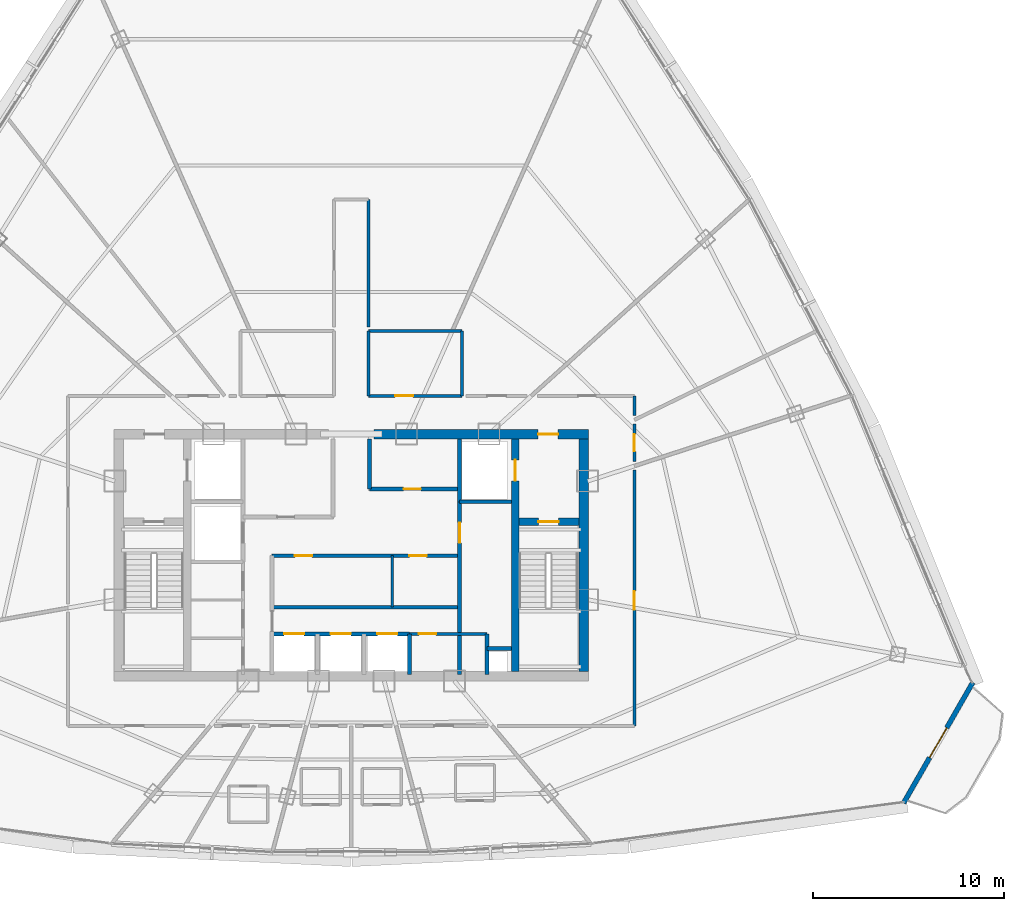
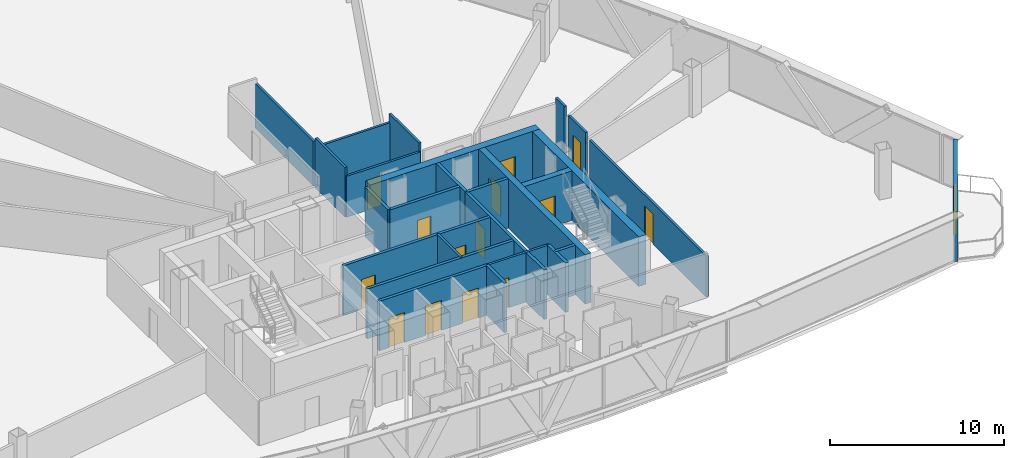
# One storey, part 33 of 37: 26 walls, 15 doors, 15 openings.
"""IFC4 building model written with IfcOpenShell, lengths in metres."""

from ifc_helpers import new_model, si_unit, direction, frame, frame_2d, origin, origin_with_axes, place, context, subcontext, project, spatial, rectangle, extrude, source, transform, mapped, material, layer, layer_set, type_object, element, fill, save


model = new_model("IFC4")

# Units and contexts
model_context = context("Model", 3, precision=1e-05, world=origin(), true_north=direction((0.0, 1.0)))
body_context = subcontext(model_context, "Body", "Model", "MODEL_VIEW")
ifc_project = project(units=[si_unit("LENGTHUNIT", "METRE"), si_unit("AREAUNIT", "SQUARE_METRE"), si_unit("VOLUMEUNIT", "CUBIC_METRE"), si_unit("PLANEANGLEUNIT", "RADIAN"), si_unit("MASSUNIT", "GRAM", prefix="KILO"), si_unit("THERMODYNAMICTEMPERATUREUNIT", "KELVIN"), si_unit("POWERUNIT", "WATT")], contexts=[model_context])

# Site, building, storey
site_placement = place(None, origin())
site = spatial("IfcSite", under=ifc_project, at=site_placement, CompositionType="ELEMENT")
building_placement = place(site_placement, origin())
building = spatial("IfcBuilding", under=site, at=building_placement, Name="Yunzhuo Pagoda Commons", CompositionType="ELEMENT")
storey_placement = place(building_placement, frame((0.0, 0.0, 281.2900390625)))
storey = spatial("IfcBuildingStorey", under=building, at=storey_placement, Name="L70", CompositionType="ELEMENT", Elevation=281.2900390625)

# Wall, opening, door
ifc_material_1 = material(Name="Precast concrete C40", Category="concrete")
ifc_layer_1 = layer(ifc_material_1, 0.260009765625)
ifc_layer_set_1 = layer_set([ifc_layer_1], Name="Precast concrete C40")
wall_type_1 = type_object("IfcWallType", Name="W-BAL1 Corner Balcony Threshold Wall 260", PredefinedType="STANDARD", material=ifc_layer_set_1)
wall_1_placement = place(storey_placement, frame((76.96630859375, 20.84912109375, 0.0), z_axis=(0.0, 0.0, 1.0), x_axis=(0.497929527106, 0.867217496385, 0.0)))
wall_1 = element("IfcWall", 1, at=wall_1_placement, inside=storey, type_object=wall_type_1, Name="L70 corner balcony wall V2", PredefinedType="STANDARD", context=body_context, shape_type="SweptSolid", body=[
    extrude(rectangle(XDim=7.29345703125, YDim=0.260009765625, at=frame_2d((3.646728515625, 0.0))), origin(), (0.0, 0.0, 1.0), 3.469970703125),
])
opening_1_placement = place(wall_1_placement, frame((2.74658203125, 0.0, 0.0)))
opening_1 = element("IfcOpeningElement", 2, at=opening_1_placement, cuts=wall_1, Name="Opening D-BAL1", PredefinedType="OPENING", context=body_context, shape_type="SweptSolid", body=[
    extrude(rectangle(XDim=1.800048828125, YDim=2.14990234375, at=frame_2d((0.89990234375, 1.074951171875))), frame((0.0, 0.14013671875, 0.0), z_axis=(0.0, -1.0, 0.0), x_axis=(1.0, 0.0, 0.0)), (0.0, 0.0, 1.0), 0.280029296875),
])
ifc_material_2 = material(Name="Anodized aluminium frame and tempered glazed leaf", Category="aluminium")
door_type_1 = type_object("IfcDoorType", Name="D-BAL1 Corner Balcony Sliding Glazed Door 1800x2150", OperationType="DOUBLE_DOOR_SLIDING", PredefinedType="DOOR", material=ifc_material_2)
shared_shape_1 = source(origin(), body_context, "Body", "SweptSolid", [
    extrude(rectangle(XDim=1.800048828125, YDim=2.14990234375, at=frame_2d((0.89990234375, 1.074951171875))), frame((0.0, 0.02490234375, 0.0), z_axis=(0.0, -1.0, 0.0), x_axis=(1.0, 0.0, 0.0)), (0.0, 0.0, 1.0), 0.050048828125),
])
door_1_placement = place(opening_1_placement, origin_with_axes())
door_1 = element("IfcDoor", 3, at=door_1_placement, inside=storey, type_object=door_type_1, Name="L70 corner balcony sliding door V2", OperationType="DOUBLE_DOOR_SLIDING", OverallHeight=2.14990234375, OverallWidth=1.800048828125, PredefinedType="DOOR", context=body_context, shape_type="MappedRepresentation", body=[
    mapped(shared_shape_1, transform((0.0, 0.0, 0.0), scale=1.0)),
])
fill(opening_1, door_1)

ifc_material_3 = material(Name="Concrete C50", Category="concrete")
ifc_layer_2 = layer(ifc_material_3, 0.5)
ifc_layer_set_2 = layer_set([ifc_layer_2], Name="Concrete C50")
wall_type_2 = type_object("IfcWallType", Name="W-C03 Upper Core Shear Wall 500", PredefinedType="SHEAR", material=ifc_layer_set_2)
wall_2_placement = place(storey_placement, frame((49.199951171875, 40.199951171875, 0.0), z_axis=(0.0, 0.0, 1.0), x_axis=(1.0, 0.0, 0.0)))
wall_2 = element("IfcWall", 4, at=wall_2_placement, inside=storey, type_object=wall_type_2, Name="L70 core shear wall NE", PredefinedType="SHEAR", context=body_context, shape_type="SweptSolid", body=[
    extrude(rectangle(XDim=11.25, YDim=0.5, at=frame_2d((5.625, 0.0))), origin(), (0.0, 0.0, 1.0), 3.469970703125),
])
opening_2_placement = place(wall_2_placement, frame((8.60009765625, 0.0, 0.0)))
opening_2 = element("IfcOpeningElement", 5, at=opening_2_placement, cuts=wall_2, Name="Opening D-02", PredefinedType="OPENING", context=body_context, shape_type="SweptSolid", body=[
    extrude(rectangle(XDim=1.050048828125, YDim=2.10009765625, at=frame_2d((0.52490234375, 1.050048828125))), frame((0.0, 0.260009765625, 0.0), z_axis=(0.0, -1.0, 0.0), x_axis=(1.0, 0.0, 0.0)), (0.0, 0.0, 1.0), 0.52001953125),
])
ifc_material_4 = material(Name="Galvanized fire-resisting metal leaf")
door_type_2 = type_object("IfcDoorType", Name="D-02 Firefighting Lobby & Refuge Fire Door 1050x2100", OperationType="NOTDEFINED", PredefinedType="DOOR", material=ifc_material_4)
shared_shape_2 = source(origin(), body_context, "Body", "SweptSolid", [
    extrude(rectangle(XDim=1.050048828125, YDim=2.10009765625, at=frame_2d((0.52490234375, 1.050048828125))), frame((0.0, 0.02490234375, 0.0), z_axis=(0.0, -1.0, 0.0), x_axis=(1.0, 0.0, 0.0)), (0.0, 0.0, 1.0), 0.050048828125),
])
door_2_placement = place(opening_2_placement, frame((1.050048828125, 0.0, 0.0), z_axis=(0.0, 0.0, 1.0), x_axis=(-1.0, 0.0, 0.0)))
door_2 = element("IfcDoor", 6, at=door_2_placement, inside=storey, type_object=door_type_2, Name="L70 Firefighting Lobby 2 fire door", OperationType="SINGLE_SWING_RIGHT", OverallHeight=2.10009765625, OverallWidth=1.050048828125, PredefinedType="DOOR", context=body_context, shape_type="MappedRepresentation", body=[
    mapped(shared_shape_2, transform((0.0, 0.0, 0.0), scale=1.0)),
])
fill(opening_2, door_2)

# Walls
wall_3_placement = place(storey_placement, frame((60.199951171875, 27.75, 0.0), z_axis=(0.0, 0.0, 1.0), x_axis=(0.0, 1.0, 0.0)))
element("IfcWall", 7, at=wall_3_placement, inside=storey, type_object=wall_type_2, Name="L70 core shear wall E", PredefinedType="SHEAR", context=body_context, shape_type="SweptSolid", body=[
    extrude(rectangle(XDim=12.199951171875, YDim=0.5, at=frame_2d((6.10009765625, 0.0))), origin(), (0.0, 0.0, 1.0), 3.469970703125),
])
ifc_material_5 = material(Name="Gypsum plasterboard on acoustic stud")
ifc_layer_3 = layer(ifc_material_5, 0.14990234375)
ifc_layer_set_3 = layer_set([ifc_layer_3], Name="Gypsum plasterboard on acoustic stud")
wall_type_3 = type_object("IfcWallType", Name="W-COR3 High-Zone Rated Corridor Wall 150", PredefinedType="PARTITIONING", material=ifc_layer_set_3)
wall_4_placement = place(storey_placement, frame((50.14990234375, 31.1201171875, 0.0), z_axis=(0.0, 0.0, 1.0), x_axis=(0.0, 1.0, 0.0)))
element("IfcWall", 8, at=wall_4_placement, inside=storey, type_object=wall_type_3, Name="L70 interior wall IW-L70-FRMD", PredefinedType="PARTITIONING", context=body_context, shape_type="SweptSolid", body=[
    extrude(rectangle(XDim=2.699951171875, YDim=0.14990234375, at=frame_2d((1.35009765625, 0.0))), origin(), (0.0, 0.0, 1.0), 3.469970703125),
])

# Wall, opening, door
wall_5_placement = place(storey_placement, frame((51.050048828125, 29.719970703125, 0.0), z_axis=(0.0, 0.0, 1.0), x_axis=(1.0, 0.0, 0.0)))
wall_5 = element("IfcWall", 9, at=wall_5_placement, inside=storey, type_object=wall_type_3, Name="L70 interior wall IW-L70-CSES", PredefinedType="PARTITIONING", context=body_context, shape_type="SweptSolid", body=[
    extrude(rectangle(XDim=4.070068359375, YDim=0.14990234375, at=frame_2d((2.03515625, 0.0))), origin(), (0.0, 0.0, 1.0), 3.469970703125),
])
opening_3_placement = place(wall_5_placement, frame((0.5, 0.0, 0.0)))
opening_3 = element("IfcOpeningElement", 10, at=opening_3_placement, cuts=wall_5, Name="Opening D-03", PredefinedType="OPENING", context=body_context, shape_type="SweptSolid", body=[
    extrude(rectangle(XDim=0.89990234375, YDim=2.10009765625, at=frame_2d((0.449951171875, 1.050048828125))), frame((0.0, 0.0849609375, 0.0), z_axis=(0.0, -1.0, 0.0), x_axis=(1.0, 0.0, 0.0)), (0.0, 0.0, 1.0), 0.169921875),
])
door_type_3 = type_object("IfcDoorType", Name="D-03 Core Service Fire Door 900x2100", OperationType="NOTDEFINED", PredefinedType="DOOR", material=ifc_material_4)
shared_shape_3 = source(origin(), body_context, "Body", "SweptSolid", [
    extrude(rectangle(XDim=0.89990234375, YDim=2.10009765625, at=frame_2d((0.449951171875, 1.050048828125))), frame((0.0, 0.02490234375, 0.0), z_axis=(0.0, -1.0, 0.0), x_axis=(1.0, 0.0, 0.0)), (0.0, 0.0, 1.0), 0.050048828125),
])
door_3_placement = place(opening_3_placement, origin_with_axes())
door_3 = element("IfcDoor", 11, at=door_3_placement, inside=storey, type_object=door_type_3, Name="L70 core pantry door", OperationType="SINGLE_SWING_RIGHT", OverallHeight=2.10009765625, OverallWidth=0.89990234375, PredefinedType="DOOR", context=body_context, shape_type="MappedRepresentation", body=[
    mapped(shared_shape_3, transform((0.0, 0.0, 0.0), scale=1.0)),
])
fill(opening_3, door_3)

wall_6_placement = place(storey_placement, frame((48.89990234375, 42.199951171875, 0.0), z_axis=(0.0, 0.0, 1.0), x_axis=(1.0, 0.0, 0.0)))
wall_6 = element("IfcWall", 12, at=wall_6_placement, inside=storey, type_object=wall_type_3, Name="L70 interior wall IW-L70-TFES", PredefinedType="PARTITIONING", context=body_context, shape_type="SweptSolid", body=[
    extrude(rectangle(XDim=4.900146484375, YDim=0.14990234375, at=frame_2d((2.4501953125, 0.0))), origin(), (0.0, 0.0, 1.0), 2.869873046875),
])
opening_4_placement = place(wall_6_placement, frame((1.39990234375, 0.0, 0.0)))
opening_4 = element("IfcOpeningElement", 13, at=opening_4_placement, cuts=wall_6, Name="Opening D-11", PredefinedType="OPENING", context=body_context, shape_type="SweptSolid", body=[
    extrude(rectangle(XDim=0.93994140625, YDim=2.10009765625, at=frame_2d((0.469970703125, 1.050048828125))), frame((0.0, 0.0849609375, 0.0), z_axis=(0.0, -1.0, 0.0), x_axis=(1.0, 0.0, 0.0)), (0.0, 0.0, 1.0), 0.169921875),
])
door_type_4 = type_object("IfcDoorType", Name="D-11 Accessible Washroom Fire Door 940x2100", OperationType="NOTDEFINED", PredefinedType="DOOR", material=ifc_material_4)
shared_shape_4 = source(origin(), body_context, "Body", "SweptSolid", [
    extrude(rectangle(XDim=0.93994140625, YDim=2.10009765625, at=frame_2d((0.469970703125, 1.050048828125))), frame((0.0, 0.02490234375, 0.0), z_axis=(0.0, -1.0, 0.0), x_axis=(1.0, 0.0, 0.0)), (0.0, 0.0, 1.0), 0.050048828125),
])
door_4_placement = place(opening_4_placement, frame((0.93994140625, 0.0, 0.0), z_axis=(0.0, 0.0, 1.0), x_axis=(-1.0, 0.0, 0.0)))
door_4 = element("IfcDoor", 14, at=door_4_placement, inside=storey, type_object=door_type_4, Name="L70 accessible WC door", OperationType="SINGLE_SWING_RIGHT", OverallHeight=2.10009765625, OverallWidth=0.93994140625, PredefinedType="DOOR", context=body_context, shape_type="MappedRepresentation", body=[
    mapped(shared_shape_4, transform((0.0, 0.0, 0.0), scale=1.0)),
])
fill(opening_4, door_4)

# Walls
wall_7_placement = place(storey_placement, frame((48.89990234375, 45.60009765625, 0.0), z_axis=(0.0, 0.0, 1.0), x_axis=(1.0, 0.0, 0.0)))
element("IfcWall", 15, at=wall_7_placement, inside=storey, type_object=wall_type_3, Name="L70 interior wall IW-L70-TFEN", PredefinedType="PARTITIONING", context=body_context, shape_type="SweptSolid", body=[
    extrude(rectangle(XDim=4.900146484375, YDim=0.14990234375, at=frame_2d((2.4501953125, 0.0))), origin(), (0.0, 0.0, 1.0), 2.869873046875),
])
for number, where, z_axis, x_axis, name in (
    (16, (48.89990234375, 42.199951171875, 0.0), (0.0, 0.0, 1.0), (0.0, 1.0, 0.0), "L70 interior wall IW-L70-TFEW"),
    (17, (53.800048828125, 42.199951171875, 0.0), (0.0, 0.0, 1.0), (0.0, 1.0, 0.0), "L70 interior wall IW-L70-TFEE"),
):
    element("IfcWall", number, at=place(storey_placement, frame(where, z_axis=z_axis, x_axis=x_axis)), inside=storey, type_object=wall_type_3, Name=name, PredefinedType="PARTITIONING", context=body_context, shape_type="SweptSolid", body=[
        extrude(rectangle(XDim=3.400146484375, YDim=0.14990234375, at=frame_2d((1.7001953125, 0.0))), origin(), (0.0, 0.0, 1.0), 3.469970703125),
    ])
wall_8_placement = place(storey_placement, frame((48.89990234375, 52.5, 0.0), z_axis=(0.0, 0.0, 1.0), x_axis=(0.0, -1.0, 0.0)))
element("IfcWall", 18, at=wall_8_placement, inside=storey, type_object=wall_type_3, Name="L70 interior wall IW-L70-CWL08", PredefinedType="PARTITIONING", context=body_context, shape_type="SweptSolid", body=[
    extrude(rectangle(XDim=6.679931640625, YDim=0.14990234375, at=frame_2d((3.33984375, 0.0))), origin(), (0.0, 0.0, 1.0), 3.119873046875),
])
wall_9_placement = place(storey_placement, frame((62.85009765625, 42.199951171875, 0.0), z_axis=(0.0, 0.0, 1.0), x_axis=(0.0, -1.0, 0.0)))
element("IfcWall", 19, at=wall_9_placement, inside=storey, type_object=wall_type_3, Name="L70 interior wall IW-L70-CWL11", PredefinedType="PARTITIONING", context=body_context, shape_type="SweptSolid", body=[
    extrude(rectangle(XDim=1.012451171875, YDim=0.14990234375, at=frame_2d((0.50634765625, 0.0))), origin(), (0.0, 0.0, 1.0), 3.469970703125),
])

# Wall, opening, door
wall_10_placement = place(storey_placement, frame((62.85009765625, 40.722900390625, 0.0), z_axis=(0.0, 0.0, 1.0), x_axis=(0.0, -1.0, 0.0)))
wall_10 = element("IfcWall", 20, at=wall_10_placement, inside=storey, type_object=wall_type_3, Name="L70 interior wall IW-L70-CWL12", PredefinedType="PARTITIONING", context=body_context, shape_type="SweptSolid", body=[
    extrude(rectangle(XDim=1.966552734375, YDim=0.14990234375, at=frame_2d((0.9833984375, 0.0))), origin(), (0.0, 0.0, 1.0), 3.119873046875),
])
opening_5_placement = place(wall_10_placement, frame((0.529052734375, 0.0, 0.0)))
opening_5 = element("IfcOpeningElement", 21, at=opening_5_placement, cuts=wall_10, Name="Opening D-12", PredefinedType="OPENING", context=body_context, shape_type="SweptSolid", body=[
    extrude(rectangle(XDim=0.89990234375, YDim=2.080078125, at=frame_2d((0.449951171875, 1.0400390625))), frame((0.0, 0.0849609375, 0.0), z_axis=(0.0, -1.0, 0.0), x_axis=(1.0, 0.0, 0.0)), (0.0, 0.0, 1.0), 0.169921875),
])
ifc_material_6 = material(Name="Powder-coated aluminium and timber acoustic leaf", Category="wood")
door_type_5 = type_object("IfcDoorType", Name="D-12 Quiet Study Interior Door 900x2080", OperationType="NOTDEFINED", PredefinedType="DOOR", material=ifc_material_6)
shared_shape_5 = source(origin(), body_context, "Body", "SweptSolid", [
    extrude(rectangle(XDim=0.89990234375, YDim=2.080078125, at=frame_2d((0.449951171875, 1.0400390625))), frame((0.0, 0.02490234375, 0.0), z_axis=(0.0, -1.0, 0.0), x_axis=(1.0, 0.0, 0.0)), (0.0, 0.0, 1.0), 0.050048828125),
])
door_5_placement = place(opening_5_placement, origin_with_axes())
door_5 = element("IfcDoor", 22, at=door_5_placement, inside=storey, type_object=door_type_5, Name="L70 study lounge 01 door", OperationType="SINGLE_SWING_LEFT", OverallHeight=2.080078125, OverallWidth=0.89990234375, PredefinedType="DOOR", context=body_context, shape_type="MappedRepresentation", body=[
    mapped(shared_shape_5, transform((0.0, 0.0, 0.0), scale=1.0)),
])
fill(opening_5, door_5)

wall_11_placement = place(storey_placement, frame((62.85009765625, 38.305419921875, 0.0), z_axis=(0.0, 0.0, 1.0), x_axis=(0.0, -1.0, 0.0)))
wall_11 = element("IfcWall", 23, at=wall_11_placement, inside=storey, type_object=wall_type_3, Name="L70 interior wall IW-L70-CWL13", PredefinedType="PARTITIONING", context=body_context, shape_type="SweptSolid", body=[
    extrude(rectangle(XDim=13.405517578125, YDim=0.14990234375, at=frame_2d((6.70263671875, 0.0))), origin(), (0.0, 0.0, 1.0), 2.869873046875),
])
opening_6_placement = place(wall_11_placement, frame((6.347900390625, 0.0, 0.0)))
opening_6 = element("IfcOpeningElement", 24, at=opening_6_placement, cuts=wall_11, Name="Opening D-08", PredefinedType="OPENING", context=body_context, shape_type="SweptSolid", body=[
    extrude(rectangle(XDim=0.97998046875, YDim=2.1201171875, at=frame_2d((0.489990234375, 1.06005859375))), frame((0.0, 0.0849609375, 0.0), z_axis=(0.0, -1.0, 0.0), x_axis=(1.0, 0.0, 0.0)), (0.0, 0.0, 1.0), 0.169921875),
])
door_type_6 = type_object("IfcDoorType", Name="D-08 High-Zone Suite Entrance Fire Door 980x2120", OperationType="NOTDEFINED", PredefinedType="DOOR", material=ifc_material_4)
shared_shape_6 = source(origin(), body_context, "Body", "SweptSolid", [
    extrude(rectangle(XDim=0.97998046875, YDim=2.1201171875, at=frame_2d((0.489990234375, 1.06005859375))), frame((0.0, 0.02490234375, 0.0), z_axis=(0.0, -1.0, 0.0), x_axis=(1.0, 0.0, 0.0)), (0.0, 0.0, 1.0), 0.050048828125),
])
door_6_placement = place(opening_6_placement, origin_with_axes())
door_6 = element("IfcDoor", 25, at=door_6_placement, inside=storey, type_object=door_type_6, Name="L70 Resident Co-Living Commons Hall door", OperationType="SINGLE_SWING_RIGHT", OverallHeight=2.1201171875, OverallWidth=0.97998046875, PredefinedType="DOOR", context=body_context, shape_type="MappedRepresentation", body=[
    mapped(shared_shape_6, transform((0.0, 0.0, 0.0), scale=1.0)),
])
fill(opening_6, door_6)

ifc_material_7 = material(Name="Concrete C60", Category="concrete")
ifc_layer_4 = layer(ifc_material_7, 0.39990234375)
ifc_layer_set_4 = layer_set([ifc_layer_4], Name="Concrete C60")
wall_type_4 = type_object("IfcWallType", Name="W-S01 Internal Core Shear Web 400", PredefinedType="SHEAR", material=ifc_layer_set_4)
wall_12_placement = place(storey_placement, frame((56.60009765625, 27.75, 0.0), z_axis=(0.0, 0.0, 1.0), x_axis=(0.0, 1.0, 0.0)))
wall_12 = element("IfcWall", 26, at=wall_12_placement, inside=storey, type_object=wall_type_4, Name="L70 core shear wall WEBE", PredefinedType="SHEAR", context=body_context, shape_type="SweptSolid", body=[
    extrude(rectangle(XDim=12.199951171875, YDim=0.39990234375, at=frame_2d((6.10009765625, 0.0))), origin(), (0.0, 0.0, 1.0), 3.469970703125),
])
opening_7_placement = place(wall_12_placement, frame((10.0, 0.0, 0.0)))
opening_7 = element("IfcOpeningElement", 27, at=opening_7_placement, cuts=wall_12, Name="Opening LD-01", PredefinedType="OPENING", context=body_context, shape_type="SweptSolid", body=[
    extrude(rectangle(XDim=1.10009765625, YDim=2.10009765625, at=frame_2d((0.550048828125, 1.050048828125))), frame((0.0, 0.2099609375, 0.0), z_axis=(0.0, -1.0, 0.0), x_axis=(1.0, 0.0, 0.0)), (0.0, 0.0, 1.0), 0.419921875),
])
door_type_7 = type_object("IfcDoorType", Name="LD-01 Firefighting Lift Landing Door 1100x2100", OperationType="DOUBLE_DOOR_SLIDING", PredefinedType="DOOR", material=ifc_material_4)
shared_shape_7 = source(origin(), body_context, "Body", "SweptSolid", [
    extrude(rectangle(XDim=1.10009765625, YDim=2.10009765625, at=frame_2d((0.550048828125, 1.050048828125))), frame((0.0, 0.02490234375, 0.0), z_axis=(0.0, -1.0, 0.0), x_axis=(1.0, 0.0, 0.0)), (0.0, 0.0, 1.0), 0.050048828125),
])
door_7_placement = place(opening_7_placement, origin_with_axes())
door_7 = element("IfcDoor", 28, at=door_7_placement, inside=storey, type_object=door_type_7, Name="L70 Firefighting lift FL-2 landing door", OperationType="DOUBLE_DOOR_SLIDING", OverallHeight=2.10009765625, OverallWidth=1.10009765625, PredefinedType="DOOR", context=body_context, shape_type="MappedRepresentation", body=[
    mapped(shared_shape_7, transform((0.0, 0.0, 0.0), scale=1.0)),
])
fill(opening_7, door_7)

wall_13_placement = place(storey_placement, frame((56.800048828125, 35.60009765625, 0.0), z_axis=(0.0, 0.0, 1.0), x_axis=(1.0, 0.0, 0.0)))
wall_13 = element("IfcWall", 29, at=wall_13_placement, inside=storey, type_object=wall_type_4, Name="L70 core shear wall STE", PredefinedType="SHEAR", context=body_context, shape_type="SweptSolid", body=[
    extrude(rectangle(XDim=3.14990234375, YDim=0.39990234375, at=frame_2d((1.574951171875, 0.0))), origin(), (0.0, 0.0, 1.0), 3.469970703125),
])
opening_8_placement = place(wall_13_placement, frame((1.02001953125, 0.0, 0.0)))
opening_8 = element("IfcOpeningElement", 30, at=opening_8_placement, cuts=wall_13, Name="Opening D-01", PredefinedType="OPENING", context=body_context, shape_type="SweptSolid", body=[
    extrude(rectangle(XDim=1.050048828125, YDim=2.10009765625, at=frame_2d((0.52490234375, 1.050048828125))), frame((0.0, 0.2099609375, 0.0), z_axis=(0.0, -1.0, 0.0), x_axis=(1.0, 0.0, 0.0)), (0.0, 0.0, 1.0), 0.419921875),
])
door_type_8 = type_object("IfcDoorType", Name="D-01 Smokeproof Stair Fire Door 1050x2100", OperationType="NOTDEFINED", PredefinedType="DOOR", material=ifc_material_4)
door_8_placement = place(opening_8_placement, frame((1.050048828125, 0.0, 0.0), z_axis=(0.0, 0.0, 1.0), x_axis=(-1.0, 0.0, 0.0)))
door_8 = element("IfcDoor", 31, at=door_8_placement, inside=storey, type_object=door_type_8, Name="L70 Stair ST2 fire door", OperationType="SINGLE_SWING_RIGHT", OverallHeight=2.10009765625, OverallWidth=1.050048828125, PredefinedType="DOOR", context=body_context, shape_type="MappedRepresentation", body=[
    mapped(shared_shape_2, transform((0.0, 0.0, 0.0), scale=1.0)),
])
fill(opening_8, door_8)

# Walls
ifc_material_8 = material(Name="Concrete C40", Category="concrete")
ifc_layer_5 = layer(ifc_material_8, 0.199951171875)
ifc_layer_set_5 = layer_set([ifc_layer_5], Name="Concrete C40")
wall_type_5 = type_object("IfcWallType", Name="W-SHF Shaft & Stair Enclosure Wall 200", PredefinedType="SOLIDWALL", material=ifc_layer_set_5)
wall_14_placement = place(storey_placement, frame((53.679931640625, 36.64990234375, 0.0), z_axis=(0.0, 0.0, 1.0), x_axis=(0.0, 1.0, 0.0)))
element("IfcWall", 32, at=wall_14_placement, inside=storey, type_object=wall_type_5, Name="L70 interior wall IW-L70-FL2W", PredefinedType="SOLIDWALL", context=body_context, shape_type="SweptSolid", body=[
    extrude(rectangle(XDim=3.300048828125, YDim=0.199951171875, at=frame_2d((1.64990234375, 0.0))), origin(), (0.0, 0.0, 1.0), 3.469970703125),
])
wall_15_placement = place(storey_placement, frame((53.679931640625, 36.64990234375, 0.0), z_axis=(0.0, 0.0, 1.0), x_axis=(1.0, 0.0, 0.0)))
element("IfcWall", 33, at=wall_15_placement, inside=storey, type_object=wall_type_5, Name="L70 interior wall IW-L70-FL2S", PredefinedType="SOLIDWALL", context=body_context, shape_type="SweptSolid", body=[
    extrude(rectangle(XDim=2.719970703125, YDim=0.199951171875, at=frame_2d((1.35986328125, 0.0))), origin(), (0.0, 0.0, 1.0), 3.469970703125),
])

# Wall, opening, door
wall_16_placement = place(storey_placement, frame((48.949951171875, 37.320068359375, 0.0), z_axis=(0.0, 0.0, 1.0), x_axis=(1.0, 0.0, 0.0)))
wall_16 = element("IfcWall", 34, at=wall_16_placement, inside=storey, type_object=wall_type_5, Name="L70 interior wall IW-L70-LBNE", PredefinedType="SOLIDWALL", context=body_context, shape_type="SweptSolid", body=[
    extrude(rectangle(XDim=4.72998046875, YDim=0.199951171875, at=frame_2d((2.364990234375, 0.0))), origin(), (0.0, 0.0, 1.0), 3.469970703125),
])
opening_9_placement = place(wall_16_placement, frame((1.800048828125, 0.0, 0.0)))
opening_9 = element("IfcOpeningElement", 35, at=opening_9_placement, cuts=wall_16, Name="Opening D-03", PredefinedType="OPENING", context=body_context, shape_type="SweptSolid", body=[
    extrude(rectangle(XDim=0.89990234375, YDim=2.10009765625, at=frame_2d((0.449951171875, 1.050048828125))), frame((0.0, 0.10986328125, 0.0), z_axis=(0.0, -1.0, 0.0), x_axis=(1.0, 0.0, 0.0)), (0.0, 0.0, 1.0), 0.219970703125),
])
door_9_placement = place(opening_9_placement, frame((0.89990234375, 0.0, 0.0), z_axis=(0.0, 0.0, 1.0), x_axis=(-1.0, 0.0, 0.0)))
door_9 = element("IfcDoor", 36, at=door_9_placement, inside=storey, type_object=door_type_3, Name="L70 core east store door", OperationType="SINGLE_SWING_RIGHT", OverallHeight=2.10009765625, OverallWidth=0.89990234375, PredefinedType="DOOR", context=body_context, shape_type="MappedRepresentation", body=[
    mapped(shared_shape_3, transform((0.0, 0.0, 0.0), scale=1.0)),
])
fill(opening_9, door_9)

# Wall
wall_17_placement = place(storey_placement, frame((48.949951171875, 37.320068359375, 0.0), z_axis=(0.0, 0.0, 1.0), x_axis=(0.0, 1.0, 0.0)))
element("IfcWall", 37, at=wall_17_placement, inside=storey, type_object=wall_type_5, Name="L70 interior wall IW-L70-THRE", PredefinedType="SOLIDWALL", context=body_context, shape_type="SweptSolid", body=[
    extrude(rectangle(XDim=2.6298828125, YDim=0.199951171875, at=frame_2d((1.31494140625, 0.0))), origin(), (0.0, 0.0, 1.0), 3.469970703125),
])

# Wall, openings, doors
wall_18_placement = place(storey_placement, frame((43.85009765625, 33.820068359375, 0.0), z_axis=(0.0, 0.0, 1.0), x_axis=(1.0, 0.0, 0.0)))
wall_18 = element("IfcWall", 38, at=wall_18_placement, inside=storey, type_object=wall_type_5, Name="L70 interior wall IW-L70-MLBS", PredefinedType="SOLIDWALL", context=body_context, shape_type="SweptSolid", body=[
    extrude(rectangle(XDim=9.829833984375, YDim=0.199951171875, at=frame_2d((4.9150390625, 0.0))), origin(), (0.0, 0.0, 1.0), 3.469970703125),
])
opening_10_placement = place(wall_18_placement, frame((1.199951171875, 0.0, 0.0)))
opening_10 = element("IfcOpeningElement", 39, at=opening_10_placement, cuts=wall_18, Name="Opening D-03", PredefinedType="OPENING", context=body_context, shape_type="SweptSolid", body=[
    extrude(rectangle(XDim=0.89990234375, YDim=2.10009765625, at=frame_2d((0.449951171875, 1.050048828125))), frame((0.0, 0.10986328125, 0.0), z_axis=(0.0, -1.0, 0.0), x_axis=(1.0, 0.0, 0.0)), (0.0, 0.0, 1.0), 0.219970703125),
])
opening_11_placement = place(wall_18_placement, frame((7.199951171875, 0.0, 0.0)))
opening_11 = element("IfcOpeningElement", 40, at=opening_11_placement, cuts=wall_18, Name="Opening D-03", PredefinedType="OPENING", context=body_context, shape_type="SweptSolid", body=[
    extrude(rectangle(XDim=0.89990234375, YDim=2.10009765625, at=frame_2d((0.449951171875, 1.050048828125))), frame((0.0, 0.10986328125, 0.0), z_axis=(0.0, -1.0, 0.0), x_axis=(1.0, 0.0, 0.0)), (0.0, 0.0, 1.0), 0.219970703125),
])
door_10_placement = place(opening_10_placement, origin_with_axes())
door_10 = element("IfcDoor", 41, at=door_10_placement, inside=storey, type_object=door_type_3, Name="L70 core mid-west store door", OperationType="SINGLE_SWING_LEFT", OverallHeight=2.10009765625, OverallWidth=0.89990234375, PredefinedType="DOOR", context=body_context, shape_type="MappedRepresentation", body=[
    mapped(shared_shape_3, transform((0.0, 0.0, 0.0), scale=1.0)),
])
fill(opening_10, door_10)
door_11_placement = place(opening_11_placement, origin_with_axes())
door_11 = element("IfcDoor", 42, at=door_11_placement, inside=storey, type_object=door_type_3, Name="L70 core mid-east store door", OperationType="SINGLE_SWING_RIGHT", OverallHeight=2.10009765625, OverallWidth=0.89990234375, PredefinedType="DOOR", context=body_context, shape_type="MappedRepresentation", body=[
    mapped(shared_shape_3, transform((0.0, 0.0, 0.0), scale=1.0)),
])
fill(opening_11, door_11)

# Wall, opening, door
wall_19_placement = place(storey_placement, frame((53.679931640625, 27.60009765625, 0.0), z_axis=(0.0, 0.0, 1.0), x_axis=(0.0, 1.0, 0.0)))
wall_19 = element("IfcWall", 43, at=wall_19_placement, inside=storey, type_object=wall_type_5, Name="L70 interior wall IW-L70-PLME", PredefinedType="SOLIDWALL", context=body_context, shape_type="SweptSolid", body=[
    extrude(rectangle(XDim=9.0498046875, YDim=0.199951171875, at=frame_2d((4.52490234375, 0.0))), origin(), (0.0, 0.0, 1.0), 3.469970703125),
])
opening_12_placement = place(wall_19_placement, frame((6.89990234375, 0.0, 0.0)))
opening_12 = element("IfcOpeningElement", 44, at=opening_12_placement, cuts=wall_19, Name="Opening D-02", PredefinedType="OPENING", context=body_context, shape_type="SweptSolid", body=[
    extrude(rectangle(XDim=1.050048828125, YDim=2.10009765625, at=frame_2d((0.52490234375, 1.050048828125))), frame((0.0, 0.10986328125, 0.0), z_axis=(0.0, -1.0, 0.0), x_axis=(1.0, 0.0, 0.0)), (0.0, 0.0, 1.0), 0.219970703125),
])
door_12_placement = place(opening_12_placement, origin_with_axes())
door_12 = element("IfcDoor", 45, at=door_12_placement, inside=storey, type_object=door_type_2, Name="L70 High-bank lift hall door", OperationType="SINGLE_SWING_RIGHT", OverallHeight=2.10009765625, OverallWidth=1.050048828125, PredefinedType="DOOR", context=body_context, shape_type="MappedRepresentation", body=[
    mapped(shared_shape_2, transform((0.0, 0.0, 0.0), scale=1.0)),
])
fill(opening_12, door_12)

# Wall, openings, doors
wall_20_placement = place(storey_placement, frame((43.85009765625, 29.719970703125, 0.0), z_axis=(0.0, 0.0, 1.0), x_axis=(1.0, 0.0, 0.0)))
wall_20 = element("IfcWall", 46, at=wall_20_placement, inside=storey, type_object=wall_type_5, Name="L70 interior wall IW-L70-PLHN", PredefinedType="SOLIDWALL", context=body_context, shape_type="SweptSolid", body=[
    extrude(rectangle(XDim=7.199951171875, YDim=0.199951171875, at=frame_2d((3.60009765625, 0.0))), origin(), (0.0, 0.0, 1.0), 3.469970703125),
])
opening_13_placement = place(wall_20_placement, frame((0.625, 0.0, 0.0)))
opening_13 = element("IfcOpeningElement", 47, at=opening_13_placement, cuts=wall_20, Name="Opening LD-02", PredefinedType="OPENING", context=body_context, shape_type="SweptSolid", body=[
    extrude(rectangle(XDim=1.050048828125, YDim=2.10009765625, at=frame_2d((0.52490234375, 1.050048828125))), frame((0.0, 0.10986328125, 0.0), z_axis=(0.0, -1.0, 0.0), x_axis=(1.0, 0.0, 0.0)), (0.0, 0.0, 1.0), 0.219970703125),
])
opening_14_placement = place(wall_20_placement, frame((3.074951171875, 0.0, 0.0)))
opening_14 = element("IfcOpeningElement", 48, at=opening_14_placement, cuts=wall_20, Name="Opening LD-02", PredefinedType="OPENING", context=body_context, shape_type="SweptSolid", body=[
    extrude(rectangle(XDim=1.050048828125, YDim=2.10009765625, at=frame_2d((0.52490234375, 1.050048828125))), frame((0.0, 0.10986328125, 0.0), z_axis=(0.0, -1.0, 0.0), x_axis=(1.0, 0.0, 0.0)), (0.0, 0.0, 1.0), 0.219970703125),
])
opening_15_placement = place(wall_20_placement, frame((5.52490234375, 0.0, 0.0)))
opening_15 = element("IfcOpeningElement", 49, at=opening_15_placement, cuts=wall_20, Name="Opening LD-02", PredefinedType="OPENING", context=body_context, shape_type="SweptSolid", body=[
    extrude(rectangle(XDim=1.050048828125, YDim=2.10009765625, at=frame_2d((0.52490234375, 1.050048828125))), frame((0.0, 0.10986328125, 0.0), z_axis=(0.0, -1.0, 0.0), x_axis=(1.0, 0.0, 0.0)), (0.0, 0.0, 1.0), 0.219970703125),
])
door_type_9 = type_object("IfcDoorType", Name="LD-02 Passenger Lift Landing Door 1050x2100", OperationType="DOUBLE_DOOR_SLIDING", PredefinedType="DOOR", material=ifc_material_4)
door_13_placement = place(opening_13_placement, origin_with_axes())
door_13 = element("IfcDoor", 50, at=door_13_placement, inside=storey, type_object=door_type_9, Name="L70 Passenger lift PL-H1 landing door", OperationType="DOUBLE_DOOR_SLIDING", OverallHeight=2.10009765625, OverallWidth=1.050048828125, PredefinedType="DOOR", context=body_context, shape_type="MappedRepresentation", body=[
    mapped(shared_shape_2, transform((0.0, 0.0, 0.0), scale=1.0)),
])
fill(opening_13, door_13)
door_14_placement = place(opening_14_placement, origin_with_axes())
door_14 = element("IfcDoor", 51, at=door_14_placement, inside=storey, type_object=door_type_9, Name="L70 Passenger lift PL-H2 landing door", OperationType="DOUBLE_DOOR_SLIDING", OverallHeight=2.10009765625, OverallWidth=1.050048828125, PredefinedType="DOOR", context=body_context, shape_type="MappedRepresentation", body=[
    mapped(shared_shape_2, transform((0.0, 0.0, 0.0), scale=1.0)),
])
fill(opening_14, door_14)
door_15_placement = place(opening_15_placement, origin_with_axes())
door_15 = element("IfcDoor", 52, at=door_15_placement, inside=storey, type_object=door_type_9, Name="L70 Passenger lift PL-H3 landing door", OperationType="DOUBLE_DOOR_SLIDING", OverallHeight=2.10009765625, OverallWidth=1.050048828125, PredefinedType="DOOR", context=body_context, shape_type="MappedRepresentation", body=[
    mapped(shared_shape_2, transform((0.0, 0.0, 0.0), scale=1.0)),
])
fill(opening_15, door_15)

# Walls
wall_21_placement = place(storey_placement, frame((51.050048828125, 27.60009765625, 0.0), z_axis=(0.0, 0.0, 1.0), x_axis=(0.0, 1.0, 0.0)))
element("IfcWall", 53, at=wall_21_placement, inside=storey, type_object=wall_type_5, Name="L70 interior wall IW-L70-PLHE", PredefinedType="SOLIDWALL", context=body_context, shape_type="SweptSolid", body=[
    extrude(rectangle(XDim=2.119873046875, YDim=0.199951171875, at=frame_2d((1.06005859375, 0.0))), origin(), (0.0, 0.0, 1.0), 3.469970703125),
])
wall_22_placement = place(storey_placement, frame((43.85009765625, 31.1201171875, 0.0), z_axis=(0.0, 0.0, 1.0), x_axis=(1.0, 0.0, 0.0)))
element("IfcWall", 54, at=wall_22_placement, inside=storey, type_object=wall_type_5, Name="L70 interior wall IW-L70-PLMS2", PredefinedType="SOLIDWALL", context=body_context, shape_type="SweptSolid", body=[
    extrude(rectangle(XDim=9.829833984375, YDim=0.199951171875, at=frame_2d((4.9150390625, 0.0))), origin(), (0.0, 0.0, 1.0), 3.469970703125),
])
wall_23_placement = place(storey_placement, frame((55.1201171875, 27.60009765625, 0.0), z_axis=(0.0, 0.0, 1.0), x_axis=(0.0, 1.0, 0.0)))
element("IfcWall", 55, at=wall_23_placement, inside=storey, type_object=wall_type_5, Name="L70 interior wall IW-L70-RSHFW", PredefinedType="SOLIDWALL", context=body_context, shape_type="SweptSolid", body=[
    extrude(rectangle(XDim=2.119873046875, YDim=0.199951171875, at=frame_2d((1.06005859375, 0.0))), origin(), (0.0, 0.0, 1.0), 3.469970703125),
])
wall_24_placement = place(storey_placement, frame((55.1201171875, 28.949951171875, 0.0), z_axis=(0.0, 0.0, 1.0), x_axis=(1.0, 0.0, 0.0)))
element("IfcWall", 56, at=wall_24_placement, inside=storey, type_object=wall_type_5, Name="L70 interior wall IW-L70-RSHFN", PredefinedType="SOLIDWALL", context=body_context, shape_type="SweptSolid", body=[
    extrude(rectangle(XDim=1.27978515625, YDim=0.199951171875, at=frame_2d((0.639892578125, 0.0))), origin(), (0.0, 0.0, 1.0), 3.469970703125),
])

save(model, "model.ifc")
